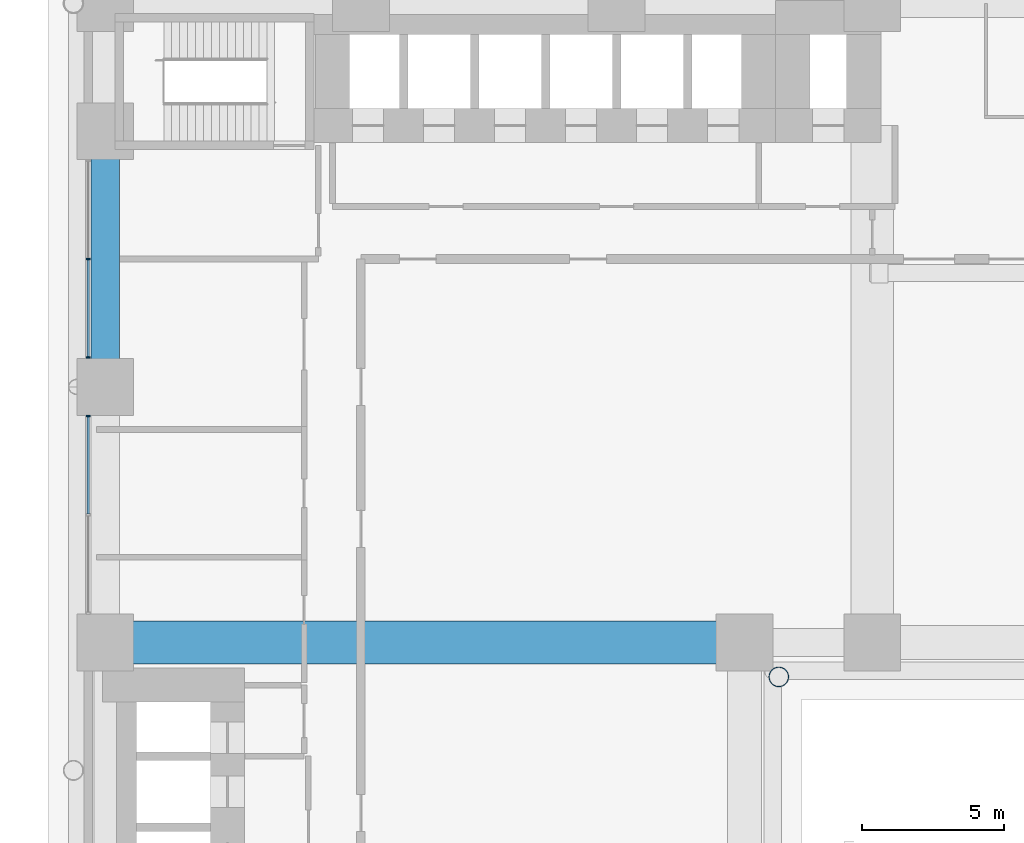
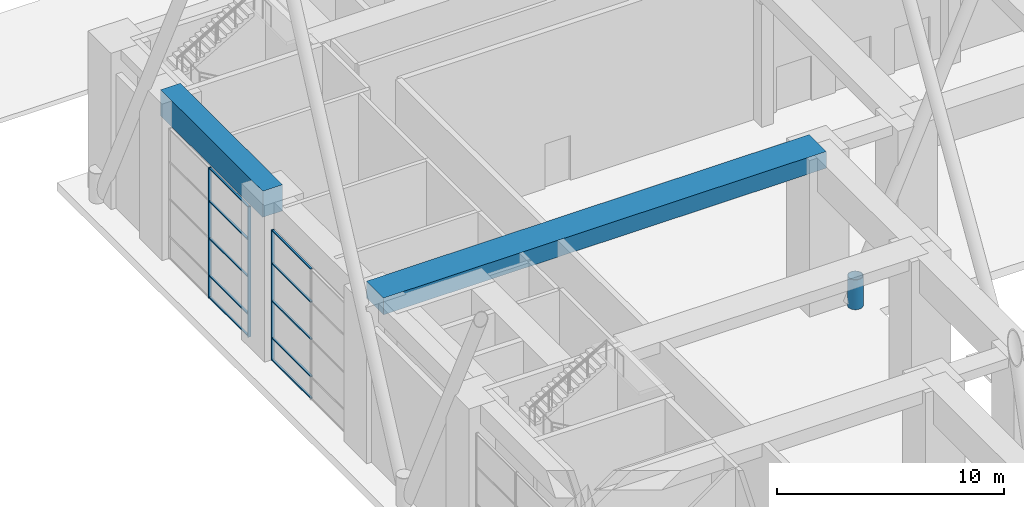
# One storey, part 8 of 44: 14 members, 2 beams, 2 elements without a shape of their own.
"""IFC4 building model written with IfcOpenShell, lengths in metres."""

import ifcopenshell
import ifcopenshell.guid

model = None  # the IFC model being written
_history = None  # IfcOwnerHistory: only IFC2X3 demands one
_inside = {}  # id of a spatial element -> (the spatial element, [elements in it])
_under = {}  # id of a project, library or spatial element -> (it, [spatial elements below it])
_declared = {}  # id of a project -> (the project, [libraries it declares])
_typed = {}  # id of a type object -> (the type object, [elements of that type])
_made_of = {}  # id of a material, layer set ... -> (it, [elements and type objects made of it])


def new_model(schema):
    """Start an empty IFC model of exactly this schema.

    Asked for "IFC4X3", IfcOpenShell would pick the latest addendum, in which some entities
    have other attributes; the version numbers below select the first issue.
    IFC2X3 requires an IfcOwnerHistory on every rooted entity: one is made here for all.
    """
    global model, _history
    if schema == "IFC4X3":
        model = ifcopenshell.file(schema_version=(4, 3, 0, 0))
    else:
        model = ifcopenshell.file(schema=schema)
    _inside.clear()
    _under.clear()
    _declared.clear()
    _typed.clear()
    _made_of.clear()
    _history = None
    if model.schema == "IFC2X3":
        org = make("IfcOrganization", Name="unknown")
        user = make(
            "IfcPersonAndOrganization",
            ThePerson=make("IfcPerson", FamilyName="unknown"),
            TheOrganization=org,
        )
        app = make(
            "IfcApplication",
            ApplicationDeveloper=org,
            Version="unknown",
            ApplicationFullName="unknown",
            ApplicationIdentifier="unknown",
        )
        _history = make(
            "IfcOwnerHistory",
            OwningUser=user,
            OwningApplication=app,
            ChangeAction="ADDED",
            CreationDate=0,
        )
    return model


def make(cls, **values):
    """One entity of the class cls with the attributes given. An attribute that is None is left unset."""
    return model.create_entity(
        cls, **{name: value for name, value in values.items() if value is not None}
    )


def rooted(cls, **values):
    """An entity with a GlobalId (a new one), such as an element, a storey or a relation."""
    return make(cls, GlobalId=ifcopenshell.guid.new(), OwnerHistory=_history, **values)


def si_unit(unit_type, name, prefix=None):
    """IfcSIUnit, for example si_unit("LENGTHUNIT", "METRE", prefix="MILLI")."""
    return make("IfcSIUnit", UnitType=unit_type, Prefix=prefix, Name=name)


def assignment(units):
    """IfcUnitAssignment: the units of a project."""
    return None if units is None else make("IfcUnitAssignment", Units=units)


def point(xyz):
    """IfcCartesianPoint."""
    return None if xyz is None else make("IfcCartesianPoint", Coordinates=xyz)


def direction(xyz):
    """IfcDirection."""
    return None if xyz is None else make("IfcDirection", DirectionRatios=xyz)


def frame(location, z_axis=None, x_axis=None):
    """IfcAxis2Placement3D, a coordinate frame: its origin and axes. An axis left out is left unset."""
    return make(
        "IfcAxis2Placement3D",
        Location=point(location),
        Axis=direction(z_axis),
        RefDirection=direction(x_axis),
    )


def frame_2d(location, x_axis=None):
    """IfcAxis2Placement2D, a coordinate frame in the plane: its origin and x axis."""
    return make(
        "IfcAxis2Placement2D", Location=point(location), RefDirection=direction(x_axis)
    )


def origin():
    """The frame at (0, 0, 0) with its axes left unset."""
    return frame((0.0, 0.0, 0.0))


def origin_2d():
    """The frame at (0, 0) in the plane with its x axis left unset."""
    return frame_2d((0.0, 0.0))


def place(relative_to, where):
    """IfcLocalPlacement: puts the frame where relative to a parent placement (None: the world)."""
    return make(
        "IfcLocalPlacement", PlacementRelTo=relative_to, RelativePlacement=where
    )


def context(
    kind, dimensions, precision=None, world=None, true_north=None, identifier=None
):
    """IfcGeometricRepresentationContext, for example the 3D "Model" context."""
    return make(
        "IfcGeometricRepresentationContext",
        ContextIdentifier=identifier,
        ContextType=kind,
        CoordinateSpaceDimension=dimensions,
        Precision=precision,
        WorldCoordinateSystem=world,
        TrueNorth=true_north,
    )


def subcontext(parent, identifier, kind, view, scale=None):
    """IfcGeometricRepresentationSubContext, for example "Body" below "Model"."""
    return make(
        "IfcGeometricRepresentationSubContext",
        ContextIdentifier=identifier,
        ContextType=kind,
        ParentContext=parent,
        TargetScale=scale,
        TargetView=view,
    )


def project(units=None, contexts=None):
    """IfcProject with its units and contexts."""
    return rooted(
        "IfcProject",
        Name="project",
        RepresentationContexts=contexts,
        UnitsInContext=assignment(units),
    )


def spatial(cls, under=None, at=None, **own):
    """A site, building, storey or space (cls), placed at a placement, below another one or the project."""
    s = rooted(cls, ObjectPlacement=at, **own)
    if under is not None:
        _under.setdefault(under.id(), (under, []))[1].append(s)
    return s


def profile(cls, at=None, kind="AREA", **sizes):
    """A parametric profile (cls). Its sizes go by their IFC names, for example OverallWidth=200.0."""
    return make(cls, ProfileType=kind, Position=at, **sizes)


def rectangle(**sizes):
    """IfcRectangleProfileDef."""
    return profile("IfcRectangleProfileDef", **sizes)


def hollow_circle(**sizes):
    """IfcCircleHollowProfileDef."""
    return profile("IfcCircleHollowProfileDef", **sizes)


def extrude(swept, where, along, depth):
    """IfcExtrudedAreaSolid: the profile swept, set in the frame where, extruded along a direction by depth."""
    return make(
        "IfcExtrudedAreaSolid",
        SweptArea=swept,
        Position=where,
        ExtrudedDirection=direction(along),
        Depth=depth,
    )


def shape(context_of_items, identifier, shape_type, items):
    """IfcShapeRepresentation: the items that make up one representation, for example the "Body"."""
    return make(
        "IfcShapeRepresentation",
        ContextOfItems=context_of_items,
        RepresentationIdentifier=identifier,
        RepresentationType=shape_type,
        Items=items,
    )


def material(Name=None, Category=None):
    """IfcMaterial."""
    return make("IfcMaterial", Name=Name, Category=Category)


def material_profile(
    of_material, cross_section, Name=None, Category=None, Priority=None
):
    """IfcMaterialProfile: a cross section and its material."""
    return make(
        "IfcMaterialProfile",
        Name=Name,
        Material=of_material,
        Profile=cross_section,
        Priority=Priority,
        Category=Category,
    )


def profile_set(profiles, Name=None, composite=None):
    """IfcMaterialProfileSet."""
    return make(
        "IfcMaterialProfileSet",
        Name=Name,
        MaterialProfiles=profiles,
        CompositeProfile=composite,
    )


def made_of(thing, what):
    """Note that an element or type object is made of a material, layer set ...; save() writes the relation."""
    if what is not None:
        _made_of.setdefault(what.id(), (what, []))[1].append(thing)
    return thing


def type_object(cls, material=None, **own):
    """A type object (cls), such as IfcWallType, which elements share."""
    return made_of(rooted(cls, **own), material)


def element(
    cls,
    number,
    at=None,
    inside=None,
    cuts=None,
    type_object=None,
    material=None,
    context=None,
    identifier="Body",
    shape_type=None,
    held_by="IfcProductDefinitionShape",
    body=None,
    shapes=None,
    **own,
):
    """One element of the class cls, such as IfcWall. Its Tag is "e" and its number.

    at: its placement. inside: the storey or other place that contains it. cuts: it is an
    opening in that element (IfcRelVoidsElement). A single representation is given by context,
    identifier, shape_type and body (its items); several are given by shapes. held_by: the class
    of the entity that holds the representations. save() writes the other relations.
    """
    e = rooted(cls, Tag="e%d" % number, ObjectPlacement=at, **own)
    if body is not None:
        shapes = [shape(context, identifier, shape_type, body)]
    if shapes is not None:
        e.Representation = make(held_by, Representations=shapes)
    if inside is not None:
        _inside.setdefault(inside.id(), (inside, []))[1].append(e)
    if cuts is not None:
        rooted(
            "IfcRelVoidsElement", RelatingBuildingElement=cuts, RelatedOpeningElement=e
        )
    if type_object is not None:
        _typed.setdefault(type_object.id(), (type_object, []))[1].append(e)
    return made_of(e, material)


def aggregate(whole, parts):
    """IfcRelAggregates: a whole, such as a stair, and the parts it consists of."""
    return rooted("IfcRelAggregates", RelatingObject=whole, RelatedObjects=parts)


def save(model, path):
    """Write the relations noted so far, then the file.

    IfcRelAggregates (storeys below a building ...), IfcRelContainedInSpatialStructure (elements
    in a storey), IfcRelDefinesByType, IfcRelAssociatesMaterial and IfcRelDeclares: one each for
    every whole, place, type object, material and project.
    """
    for whole, parts in _under.values():
        aggregate(whole, parts)
    for where, things in _inside.values():
        rooted(
            "IfcRelContainedInSpatialStructure",
            RelatedElements=things,
            RelatingStructure=where,
        )
    for kind, things in _typed.values():
        rooted("IfcRelDefinesByType", RelatedObjects=things, RelatingType=kind)
    for what, things in _made_of.values():
        rooted("IfcRelAssociatesMaterial", RelatedObjects=things, RelatingMaterial=what)
    for by, libraries in _declared.values():
        rooted("IfcRelDeclares", RelatingContext=by, RelatedDefinitions=libraries)
    model.write(path)


model = new_model("IFC4")

# Units and contexts
model_context = context("Model", 3, precision=1e-05, world=origin(), true_north=direction((0.0, 1.0)))
body_context = subcontext(model_context, "Body", "Model", "MODEL_VIEW")
ifc_project = project(units=[si_unit("LENGTHUNIT", "METRE"), si_unit("AREAUNIT", "SQUARE_METRE"), si_unit("VOLUMEUNIT", "CUBIC_METRE"), si_unit("PLANEANGLEUNIT", "RADIAN"), si_unit("MASSUNIT", "GRAM", prefix="KILO")], contexts=[model_context])

# Site, building, storey
site_placement = place(None, origin())
site = spatial("IfcSite", under=ifc_project, at=site_placement, CompositionType="ELEMENT")
building_placement = place(site_placement, origin())
building = spatial("IfcBuilding", under=site, at=building_placement, Name="Firuza Court", CompositionType="ELEMENT")
storey_placement = place(building_placement, origin())
storey = spatial("IfcBuildingStorey", under=building, at=storey_placement, Name="L00", CompositionType="ELEMENT", Elevation=0.0)

# Beam
ifc_material_1 = material(Name="Concrete C40/50", Category="concrete")
ifc_material_profile_1 = material_profile(ifc_material_1, rectangle(XDim=1.5, YDim=0.89990234375, at=origin_2d()), Name="RC 1500x900")
ifc_profile_set_1 = profile_set([ifc_material_profile_1], Name="Concrete C40/50")
beam_type_1 = type_object("IfcBeamType", Name="Band beam RC 1500x900 C40/50", PredefinedType="BEAM", material=ifc_profile_set_1)
beam_1_placement = place(storey_placement, frame((0.0, 36.0, 7.949951171875), z_axis=(1.0, 0.0, 0.0), x_axis=(0.0, 1.0, 0.0)))
element("IfcBeam", 1, at=beam_1_placement, inside=storey, type_object=beam_type_1, Name="Band beam FB2 level L01", PredefinedType="BEAM", context=body_context, shape_type="SweptSolid", body=[
    extrude(rectangle(XDim=1.5, YDim=0.89990234375, at=origin_2d()), origin(), (0.0, 0.0, 1.0), 22.5),
])

# Member
ifc_material_2 = material(Name="Steel S355", Category="steel")
ifc_material_profile_2 = material_profile(ifc_material_2, hollow_circle(Radius=0.35546875, WallThickness=0.030029296875, at=origin_2d()), Name="CHS 711x30")
ifc_profile_set_2 = profile_set([ifc_material_profile_2], Name="Steel S355")
member_type_1 = type_object("IfcMemberType", Name="Diagrid node CHS 711x30 S355", PredefinedType="USERDEFINED", material=ifc_profile_set_2)
member_1_placement = place(storey_placement, frame((23.7099609375, 34.7900390625, 0.0), z_axis=(0.0, 0.0, 1.0), x_axis=(1.0, 0.0, 0.0)))
element("IfcMember", 2, at=member_1_placement, inside=storey, type_object=member_type_1, Name="Diagrid node level L00", ObjectType="DIAGRID NODE", PredefinedType="USERDEFINED", context=body_context, shape_type="SweptSolid", body=[
    extrude(hollow_circle(Radius=0.35546875, WallThickness=0.030029296875, at=origin_2d()), origin(), (0.0, 0.0, 1.0), 1.60009765625),
])

# Curtain wall, members
ifc_material_3 = material(Name="Aluminium curtain wall, triple clear glazing", Category="aluminium")
curtain_wall_type = type_object("IfcCurtainWallType", Name="Ground lobby stick shopfront CW2", PredefinedType="NOTDEFINED", material=ifc_material_3)
curtain_wall_1_placement = place(storey_placement, origin())
curtain_wall_1 = element("IfcCurtainWall", 3, at=curtain_wall_1_placement, inside=storey, type_object=curtain_wall_type, Name="Ground lobby stick shopfront CW2 L00", PredefinedType="NOTDEFINED")
ifc_material_4 = material(Name="Aluminium EN AW-6060 T66", Category="aluminium")
ifc_material_profile_3 = material_profile(ifc_material_4, rectangle(XDim=0.14990234375, YDim=0.06005859375, at=origin_2d()), Name="Mullion 150 x 60 CW2")
ifc_profile_set_3 = profile_set([ifc_material_profile_3], Name="Aluminium EN AW-6060 T66")
member_type_2 = type_object("IfcMemberType", Name="Mullion 150 x 60 CW2", PredefinedType="MULLION", material=ifc_profile_set_3)
member_2_placement = place(storey_placement, frame((-0.60009765625, 49.5, 0.0), z_axis=(0.0, 0.0, 1.0), x_axis=(1.0, 0.0, 0.0)))
member_2 = element("IfcMember", 4, at=member_2_placement, type_object=member_type_2, Name="CW2 mullion 2", PredefinedType="MULLION", context=body_context, shape_type="SweptSolid", body=[
    extrude(rectangle(XDim=0.14990234375, YDim=0.06005859375, at=origin_2d()), origin(), (0.0, 0.0, 1.0), 7.0),
])
member_3_placement = place(storey_placement, frame((-0.60009765625, 46.030029296875, 0.0), z_axis=(0.0, 0.0, 1.0), x_axis=(1.0, 0.0, 0.0)))
member_3 = element("IfcMember", 5, at=member_3_placement, type_object=member_type_2, Name="CW2 mullion 3", PredefinedType="MULLION", context=body_context, shape_type="SweptSolid", body=[
    extrude(rectangle(XDim=0.14990234375, YDim=0.06005859375, at=origin_2d()), origin(), (0.0, 0.0, 1.0), 7.0),
])

# Curtain wall, member
curtain_wall_2_placement = place(storey_placement, origin())
curtain_wall_2 = element("IfcCurtainWall", 6, at=curtain_wall_2_placement, inside=storey, type_object=curtain_wall_type, Name="Ground lobby stick shopfront CW2 L00", PredefinedType="NOTDEFINED")
member_4_placement = place(storey_placement, frame((-0.60009765625, 43.969970703125, 0.0), z_axis=(0.0, 0.0, 1.0), x_axis=(1.0, 0.0, 0.0)))
member_4 = element("IfcMember", 7, at=member_4_placement, type_object=member_type_2, Name="CW2 mullion 1", PredefinedType="MULLION", context=body_context, shape_type="SweptSolid", body=[
    extrude(rectangle(XDim=0.14990234375, YDim=0.06005859375, at=origin_2d()), origin(), (0.0, 0.0, 1.0), 7.0),
])

# Beam
ifc_material_5 = material(Name="Concrete C60/75", Category="concrete")
ifc_material_profile_4 = material_profile(ifc_material_5, rectangle(XDim=1.0, YDim=1.39990234375, at=origin_2d()), Name="RC 1000x1400")
ifc_profile_set_4 = profile_set([ifc_material_profile_4], Name="Concrete C60/75")
beam_type_2 = type_object("IfcBeamType", Name="Transfer girder RC 1000x1400 C60/75", PredefinedType="USERDEFINED", material=ifc_profile_set_4)
beam_2_placement = place(storey_placement, frame((0.0, 54.0, 7.699951171875), z_axis=(0.0, -1.0, 0.0), x_axis=(1.0, 0.0, 0.0)))
element("IfcBeam", 8, at=beam_2_placement, inside=storey, type_object=beam_type_2, Name="Transfer girder TG1 level L01", ObjectType="TRANSFER GIRDER", PredefinedType="USERDEFINED", context=body_context, shape_type="SweptSolid", body=[
    extrude(rectangle(XDim=1.0, YDim=1.39990234375, at=origin_2d()), origin(), (0.0, 0.0, 1.0), 9.0),
])

# Member
ifc_material_6 = material(Name="Aluminium EN AW-6060 T66", Category="aluminium")
ifc_material_profile_5 = material_profile(ifc_material_6, rectangle(XDim=0.10009765625, YDim=0.06005859375, at=origin_2d()), Name="Transom 100 x 60 CW2")
ifc_profile_set_5 = profile_set([ifc_material_profile_5], Name="Aluminium EN AW-6060 T66")
member_type_3 = type_object("IfcMemberType", Name="Transom 100 x 60 CW2", PredefinedType="USERDEFINED", material=ifc_profile_set_5)
member_5_placement = place(storey_placement, frame((-0.60009765625, 49.469970703125, 0.030029296875), z_axis=(0.0, -1.0, 0.0), x_axis=(1.0, 0.0, 0.0)))
member_5 = element("IfcMember", 9, at=member_5_placement, type_object=member_type_3, Name="CW2 transom 2.1", ObjectType="TRANSOM", PredefinedType="USERDEFINED", context=body_context, shape_type="SweptSolid", body=[
    extrude(rectangle(XDim=0.10009765625, YDim=0.06005859375, at=origin_2d()), origin(), (0.0, 0.0, 1.0), 3.409912109375),
])

member_6_placement = place(storey_placement, frame((-0.60009765625, 49.469970703125, 1.199951171875), z_axis=(0.0, -1.0, 0.0), x_axis=(1.0, 0.0, 0.0)))
member_6 = element("IfcMember", 10, at=member_6_placement, type_object=member_type_3, Name="CW2 transom 2.2", ObjectType="TRANSOM", PredefinedType="USERDEFINED", context=body_context, shape_type="SweptSolid", body=[
    extrude(rectangle(XDim=0.10009765625, YDim=0.06005859375, at=origin_2d()), origin(), (0.0, 0.0, 1.0), 3.409912109375),
])

member_7_placement = place(storey_placement, frame((-0.60009765625, 49.469970703125, 3.199951171875), z_axis=(0.0, -1.0, 0.0), x_axis=(1.0, 0.0, 0.0)))
member_7 = element("IfcMember", 11, at=member_7_placement, type_object=member_type_3, Name="CW2 transom 2.3", ObjectType="TRANSOM", PredefinedType="USERDEFINED", context=body_context, shape_type="SweptSolid", body=[
    extrude(rectangle(XDim=0.10009765625, YDim=0.06005859375, at=origin_2d()), origin(), (0.0, 0.0, 1.0), 3.409912109375),
])

member_8_placement = place(storey_placement, frame((-0.60009765625, 49.469970703125, 5.199951171875), z_axis=(0.0, -1.0, 0.0), x_axis=(1.0, 0.0, 0.0)))
member_8 = element("IfcMember", 12, at=member_8_placement, type_object=member_type_3, Name="CW2 transom 2.4", ObjectType="TRANSOM", PredefinedType="USERDEFINED", context=body_context, shape_type="SweptSolid", body=[
    extrude(rectangle(XDim=0.10009765625, YDim=0.06005859375, at=origin_2d()), origin(), (0.0, 0.0, 1.0), 3.409912109375),
])

member_9_placement = place(storey_placement, frame((-0.60009765625, 49.469970703125, 6.969970703125), z_axis=(0.0, -1.0, 0.0), x_axis=(1.0, 0.0, 0.0)))
member_9 = element("IfcMember", 13, at=member_9_placement, type_object=member_type_3, Name="CW2 transom 2.5", ObjectType="TRANSOM", PredefinedType="USERDEFINED", context=body_context, shape_type="SweptSolid", body=[
    extrude(rectangle(XDim=0.10009765625, YDim=0.06005859375, at=origin_2d()), origin(), (0.0, 0.0, 1.0), 3.409912109375),
])

aggregate(curtain_wall_1, [member_2, member_3, member_5, member_6, member_7, member_8, member_9])

member_10_placement = place(storey_placement, frame((-0.60009765625, 43.93994140625, 0.030029296875), z_axis=(0.0, -1.0, 0.0), x_axis=(1.0, 0.0, 0.0)))
member_10 = element("IfcMember", 14, at=member_10_placement, type_object=member_type_3, Name="CW2 transom 1.1", ObjectType="TRANSOM", PredefinedType="USERDEFINED", context=body_context, shape_type="SweptSolid", body=[
    extrude(rectangle(XDim=0.10009765625, YDim=0.06005859375, at=origin_2d()), origin(), (0.0, 0.0, 1.0), 3.409912109375),
])

member_11_placement = place(storey_placement, frame((-0.60009765625, 43.93994140625, 1.199951171875), z_axis=(0.0, -1.0, 0.0), x_axis=(1.0, 0.0, 0.0)))
member_11 = element("IfcMember", 15, at=member_11_placement, type_object=member_type_3, Name="CW2 transom 1.2", ObjectType="TRANSOM", PredefinedType="USERDEFINED", context=body_context, shape_type="SweptSolid", body=[
    extrude(rectangle(XDim=0.10009765625, YDim=0.06005859375, at=origin_2d()), origin(), (0.0, 0.0, 1.0), 3.409912109375),
])

member_12_placement = place(storey_placement, frame((-0.60009765625, 43.93994140625, 3.199951171875), z_axis=(0.0, -1.0, 0.0), x_axis=(1.0, 0.0, 0.0)))
member_12 = element("IfcMember", 16, at=member_12_placement, type_object=member_type_3, Name="CW2 transom 1.3", ObjectType="TRANSOM", PredefinedType="USERDEFINED", context=body_context, shape_type="SweptSolid", body=[
    extrude(rectangle(XDim=0.10009765625, YDim=0.06005859375, at=origin_2d()), origin(), (0.0, 0.0, 1.0), 3.409912109375),
])

member_13_placement = place(storey_placement, frame((-0.60009765625, 43.93994140625, 5.199951171875), z_axis=(0.0, -1.0, 0.0), x_axis=(1.0, 0.0, 0.0)))
member_13 = element("IfcMember", 17, at=member_13_placement, type_object=member_type_3, Name="CW2 transom 1.4", ObjectType="TRANSOM", PredefinedType="USERDEFINED", context=body_context, shape_type="SweptSolid", body=[
    extrude(rectangle(XDim=0.10009765625, YDim=0.06005859375, at=origin_2d()), origin(), (0.0, 0.0, 1.0), 3.409912109375),
])

member_14_placement = place(storey_placement, frame((-0.60009765625, 43.93994140625, 6.969970703125), z_axis=(0.0, -1.0, 0.0), x_axis=(1.0, 0.0, 0.0)))
member_14 = element("IfcMember", 18, at=member_14_placement, type_object=member_type_3, Name="CW2 transom 1.5", ObjectType="TRANSOM", PredefinedType="USERDEFINED", context=body_context, shape_type="SweptSolid", body=[
    extrude(rectangle(XDim=0.10009765625, YDim=0.06005859375, at=origin_2d()), origin(), (0.0, 0.0, 1.0), 3.409912109375),
])

aggregate(curtain_wall_2, [member_4, member_10, member_11, member_12, member_13, member_14])

save(model, "model.ifc")
